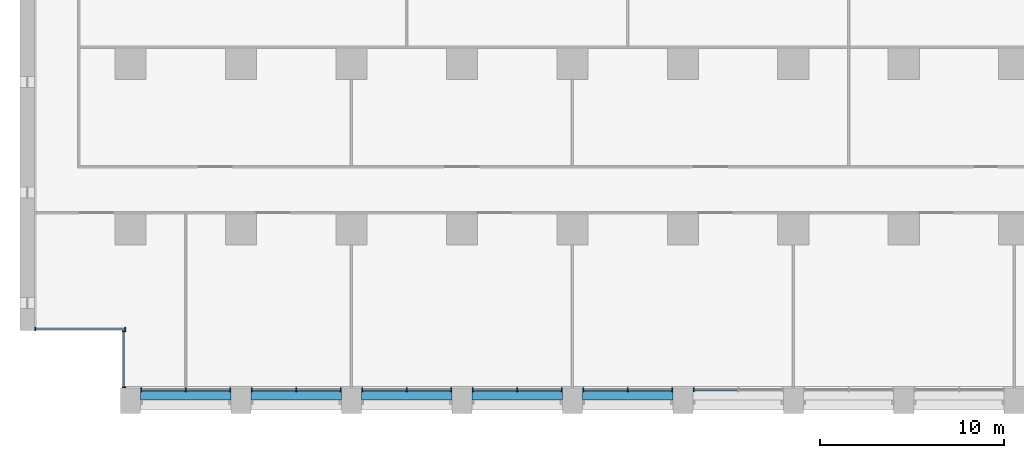
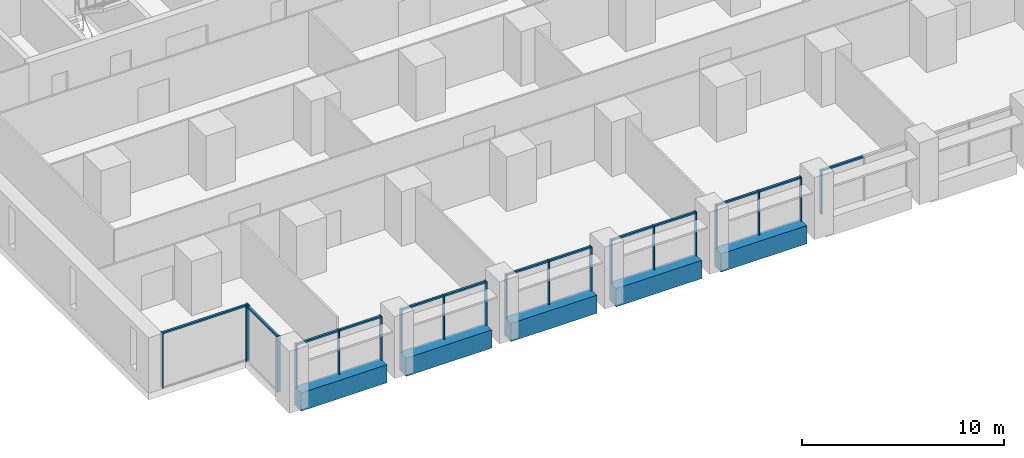
# One storey, part 2 of 18: 33 members, 5 beams, 8 elements without a shape of their own.
"""IFC4 building model written with IfcOpenShell, lengths in metres."""

from ifc_helpers import new_model, si_unit, direction, frame, origin, origin_2d, place, context, subcontext, project, spatial, rectangle, extrude, material, material_profile, profile_set, type_object, element, aggregate, save


model = new_model("IFC4")

# Units and contexts
model_context = context("Model", 3, precision=1e-05, world=origin(), true_north=direction((0.0, 1.0)))
body_context = subcontext(model_context, "Body", "Model", "MODEL_VIEW")
ifc_project = project(units=[si_unit("LENGTHUNIT", "METRE"), si_unit("AREAUNIT", "SQUARE_METRE"), si_unit("VOLUMEUNIT", "CUBIC_METRE"), si_unit("PLANEANGLEUNIT", "RADIAN"), si_unit("MASSUNIT", "GRAM", prefix="KILO")], contexts=[model_context])

# Site, building, storey
site_placement = place(None, origin())
site = spatial("IfcSite", under=ifc_project, at=site_placement, CompositionType="ELEMENT")
building_placement = place(site_placement, origin())
building = spatial("IfcBuilding", under=site, at=building_placement, Name="Calvaro Tower", CompositionType="ELEMENT")
storey_placement = place(building_placement, frame((0.0, 0.0, 52.5)))
storey = spatial("IfcBuildingStorey", under=building, at=storey_placement, Name="L12", CompositionType="ELEMENT", Elevation=52.5)

# Curtain wall, members
ifc_material_1 = material(Name="Anodised aluminium", Category="aluminium")
curtain_wall_type = type_object("IfcCurtainWallType", Name="Office curtain wall, lower zone", PredefinedType="NOTDEFINED", material=ifc_material_1)
curtain_wall_1_placement = place(storey_placement, origin())
curtain_wall_1 = element("IfcCurtainWall", 1, at=curtain_wall_1_placement, inside=storey, type_object=curtain_wall_type, Name="CW1 south curtain wall", PredefinedType="NOTDEFINED")
ifc_material_2 = material(Name="Anodised aluminium", Category="aluminium")
ifc_material_profile_1 = material_profile(ifc_material_2, rectangle(XDim=0.199951171875, YDim=0.06005859375, at=origin_2d()), Name="Mullion S1 60 x 200")
ifc_profile_set_1 = profile_set([ifc_material_profile_1], Name="Anodised aluminium")
member_type_1 = type_object("IfcMemberType", Name="Mullion S1 60 x 200", PredefinedType="MULLION", material=ifc_profile_set_1)
member_1_placement = place(storey_placement, frame((6.580078125, 1.300048828125, 0.0), z_axis=(0.0, 0.0, 1.0), x_axis=(0.0, 1.0, 0.0)))
member_1 = element("IfcMember", 2, at=member_1_placement, type_object=member_type_1, Name="CW1 mullion 1", PredefinedType="MULLION", context=body_context, shape_type="SweptSolid", body=[
    extrude(rectangle(XDim=0.199951171875, YDim=0.06005859375, at=origin_2d()), origin(), (0.0, 0.0, 1.0), 2.64990234375),
])
member_2_placement = place(storey_placement, frame((9.0, 1.300048828125, 0.0), z_axis=(0.0, 0.0, 1.0), x_axis=(0.0, 1.0, 0.0)))
member_2 = element("IfcMember", 3, at=member_2_placement, type_object=member_type_1, Name="CW1 mullion 2", PredefinedType="MULLION", context=body_context, shape_type="SweptSolid", body=[
    extrude(rectangle(XDim=0.199951171875, YDim=0.06005859375, at=origin_2d()), origin(), (0.0, 0.0, 1.0), 2.64990234375),
])
member_3_placement = place(storey_placement, frame((11.419921875, 1.300048828125, 0.0), z_axis=(0.0, 0.0, 1.0), x_axis=(0.0, 1.0, 0.0)))
member_3 = element("IfcMember", 4, at=member_3_placement, type_object=member_type_1, Name="CW1 mullion 3", PredefinedType="MULLION", context=body_context, shape_type="SweptSolid", body=[
    extrude(rectangle(XDim=0.199951171875, YDim=0.06005859375, at=origin_2d()), origin(), (0.0, 0.0, 1.0), 2.64990234375),
])

curtain_wall_2_placement = place(storey_placement, origin())
curtain_wall_2 = element("IfcCurtainWall", 5, at=curtain_wall_2_placement, inside=storey, type_object=curtain_wall_type, Name="CW1 south curtain wall", PredefinedType="NOTDEFINED")
member_4_placement = place(storey_placement, frame((12.580078125, 1.300048828125, 0.0), z_axis=(0.0, 0.0, 1.0), x_axis=(0.0, 1.0, 0.0)))
member_4 = element("IfcMember", 6, at=member_4_placement, type_object=member_type_1, Name="CW1 mullion 1", PredefinedType="MULLION", context=body_context, shape_type="SweptSolid", body=[
    extrude(rectangle(XDim=0.199951171875, YDim=0.06005859375, at=origin_2d()), origin(), (0.0, 0.0, 1.0), 2.64990234375),
])
member_5_placement = place(storey_placement, frame((15.0, 1.300048828125, 0.0), z_axis=(0.0, 0.0, 1.0), x_axis=(0.0, 1.0, 0.0)))
member_5 = element("IfcMember", 7, at=member_5_placement, type_object=member_type_1, Name="CW1 mullion 2", PredefinedType="MULLION", context=body_context, shape_type="SweptSolid", body=[
    extrude(rectangle(XDim=0.199951171875, YDim=0.06005859375, at=origin_2d()), origin(), (0.0, 0.0, 1.0), 2.64990234375),
])
member_6_placement = place(storey_placement, frame((17.419921875, 1.300048828125, 0.0), z_axis=(0.0, 0.0, 1.0), x_axis=(0.0, 1.0, 0.0)))
member_6 = element("IfcMember", 8, at=member_6_placement, type_object=member_type_1, Name="CW1 mullion 3", PredefinedType="MULLION", context=body_context, shape_type="SweptSolid", body=[
    extrude(rectangle(XDim=0.199951171875, YDim=0.06005859375, at=origin_2d()), origin(), (0.0, 0.0, 1.0), 2.64990234375),
])

curtain_wall_3_placement = place(storey_placement, origin())
curtain_wall_3 = element("IfcCurtainWall", 9, at=curtain_wall_3_placement, inside=storey, type_object=curtain_wall_type, Name="CW1 south curtain wall", PredefinedType="NOTDEFINED")
member_7_placement = place(storey_placement, frame((18.580078125, 1.300048828125, 0.0), z_axis=(0.0, 0.0, 1.0), x_axis=(0.0, 1.0, 0.0)))
member_7 = element("IfcMember", 10, at=member_7_placement, type_object=member_type_1, Name="CW1 mullion 1", PredefinedType="MULLION", context=body_context, shape_type="SweptSolid", body=[
    extrude(rectangle(XDim=0.199951171875, YDim=0.06005859375, at=origin_2d()), origin(), (0.0, 0.0, 1.0), 2.64990234375),
])
member_8_placement = place(storey_placement, frame((21.0, 1.300048828125, 0.0), z_axis=(0.0, 0.0, 1.0), x_axis=(0.0, 1.0, 0.0)))
member_8 = element("IfcMember", 11, at=member_8_placement, type_object=member_type_1, Name="CW1 mullion 2", PredefinedType="MULLION", context=body_context, shape_type="SweptSolid", body=[
    extrude(rectangle(XDim=0.199951171875, YDim=0.06005859375, at=origin_2d()), origin(), (0.0, 0.0, 1.0), 2.64990234375),
])
member_9_placement = place(storey_placement, frame((23.419921875, 1.300048828125, 0.0), z_axis=(0.0, 0.0, 1.0), x_axis=(0.0, 1.0, 0.0)))
member_9 = element("IfcMember", 12, at=member_9_placement, type_object=member_type_1, Name="CW1 mullion 3", PredefinedType="MULLION", context=body_context, shape_type="SweptSolid", body=[
    extrude(rectangle(XDim=0.199951171875, YDim=0.06005859375, at=origin_2d()), origin(), (0.0, 0.0, 1.0), 2.64990234375),
])

curtain_wall_4_placement = place(storey_placement, origin())
curtain_wall_4 = element("IfcCurtainWall", 13, at=curtain_wall_4_placement, inside=storey, type_object=curtain_wall_type, Name="CW1 south curtain wall", PredefinedType="NOTDEFINED")
member_10_placement = place(storey_placement, frame((24.580078125, 1.300048828125, 0.0), z_axis=(0.0, 0.0, 1.0), x_axis=(0.0, 1.0, 0.0)))
member_10 = element("IfcMember", 14, at=member_10_placement, type_object=member_type_1, Name="CW1 mullion 1", PredefinedType="MULLION", context=body_context, shape_type="SweptSolid", body=[
    extrude(rectangle(XDim=0.199951171875, YDim=0.06005859375, at=origin_2d()), origin(), (0.0, 0.0, 1.0), 2.64990234375),
])
member_11_placement = place(storey_placement, frame((27.0, 1.300048828125, 0.0), z_axis=(0.0, 0.0, 1.0), x_axis=(0.0, 1.0, 0.0)))
member_11 = element("IfcMember", 15, at=member_11_placement, type_object=member_type_1, Name="CW1 mullion 2", PredefinedType="MULLION", context=body_context, shape_type="SweptSolid", body=[
    extrude(rectangle(XDim=0.199951171875, YDim=0.06005859375, at=origin_2d()), origin(), (0.0, 0.0, 1.0), 2.64990234375),
])
member_12_placement = place(storey_placement, frame((29.419921875, 1.300048828125, 0.0), z_axis=(0.0, 0.0, 1.0), x_axis=(0.0, 1.0, 0.0)))
member_12 = element("IfcMember", 16, at=member_12_placement, type_object=member_type_1, Name="CW1 mullion 3", PredefinedType="MULLION", context=body_context, shape_type="SweptSolid", body=[
    extrude(rectangle(XDim=0.199951171875, YDim=0.06005859375, at=origin_2d()), origin(), (0.0, 0.0, 1.0), 2.64990234375),
])

curtain_wall_5_placement = place(storey_placement, origin())
curtain_wall_5 = element("IfcCurtainWall", 17, at=curtain_wall_5_placement, inside=storey, type_object=curtain_wall_type, Name="CW1 south curtain wall", PredefinedType="NOTDEFINED")
member_13_placement = place(storey_placement, frame((30.580078125, 1.300048828125, 0.0), z_axis=(0.0, 0.0, 1.0), x_axis=(0.0, 1.0, 0.0)))
member_13 = element("IfcMember", 18, at=member_13_placement, type_object=member_type_1, Name="CW1 mullion 1", PredefinedType="MULLION", context=body_context, shape_type="SweptSolid", body=[
    extrude(rectangle(XDim=0.199951171875, YDim=0.06005859375, at=origin_2d()), origin(), (0.0, 0.0, 1.0), 2.64990234375),
])
member_14_placement = place(storey_placement, frame((33.0, 1.300048828125, 0.0), z_axis=(0.0, 0.0, 1.0), x_axis=(0.0, 1.0, 0.0)))
member_14 = element("IfcMember", 19, at=member_14_placement, type_object=member_type_1, Name="CW1 mullion 2", PredefinedType="MULLION", context=body_context, shape_type="SweptSolid", body=[
    extrude(rectangle(XDim=0.199951171875, YDim=0.06005859375, at=origin_2d()), origin(), (0.0, 0.0, 1.0), 2.64990234375),
])
member_15_placement = place(storey_placement, frame((35.419921875, 1.300048828125, 0.0), z_axis=(0.0, 0.0, 1.0), x_axis=(0.0, 1.0, 0.0)))
member_15 = element("IfcMember", 20, at=member_15_placement, type_object=member_type_1, Name="CW1 mullion 3", PredefinedType="MULLION", context=body_context, shape_type="SweptSolid", body=[
    extrude(rectangle(XDim=0.199951171875, YDim=0.06005859375, at=origin_2d()), origin(), (0.0, 0.0, 1.0), 2.64990234375),
])

# Curtain wall, member
curtain_wall_6_placement = place(storey_placement, origin())
curtain_wall_6 = element("IfcCurtainWall", 21, at=curtain_wall_6_placement, inside=storey, type_object=curtain_wall_type, Name="CW1 south curtain wall", PredefinedType="NOTDEFINED")
member_16_placement = place(storey_placement, frame((36.580078125, 1.300048828125, 0.0), z_axis=(0.0, 0.0, 1.0), x_axis=(0.0, 1.0, 0.0)))
member_16 = element("IfcMember", 22, at=member_16_placement, type_object=member_type_1, Name="CW1 mullion 1", PredefinedType="MULLION", context=body_context, shape_type="SweptSolid", body=[
    extrude(rectangle(XDim=0.199951171875, YDim=0.06005859375, at=origin_2d()), origin(), (0.0, 0.0, 1.0), 2.64990234375),
])

# Curtain wall, members
curtain_wall_7_placement = place(storey_placement, origin())
curtain_wall_7 = element("IfcCurtainWall", 23, at=curtain_wall_7_placement, inside=storey, type_object=curtain_wall_type, Name="CW1 corner curtain wall", PredefinedType="NOTDEFINED")
member_17_placement = place(storey_placement, frame((5.64990234375, 1.429931640625, 0.0), z_axis=(0.0, 0.0, 1.0), x_axis=(-1.0, 0.0, 0.0)))
member_17 = element("IfcMember", 24, at=member_17_placement, type_object=member_type_1, Name="CW1 mullion 1", PredefinedType="MULLION", context=body_context, shape_type="SweptSolid", body=[
    extrude(rectangle(XDim=0.199951171875, YDim=0.06005859375, at=origin_2d()), origin(), (0.0, 0.0, 1.0), 3.35009765625),
])
member_18_placement = place(storey_placement, frame((5.64990234375, 4.469970703125, 0.0), z_axis=(0.0, 0.0, 1.0), x_axis=(-1.0, 0.0, 0.0)))
member_18 = element("IfcMember", 25, at=member_18_placement, type_object=member_type_1, Name="CW1 mullion 2", PredefinedType="MULLION", context=body_context, shape_type="SweptSolid", body=[
    extrude(rectangle(XDim=0.199951171875, YDim=0.06005859375, at=origin_2d()), origin(), (0.0, 0.0, 1.0), 3.35009765625),
])

curtain_wall_8_placement = place(storey_placement, origin())
curtain_wall_8 = element("IfcCurtainWall", 26, at=curtain_wall_8_placement, inside=storey, type_object=curtain_wall_type, Name="CW1 corner curtain wall", PredefinedType="NOTDEFINED")
member_19_placement = place(storey_placement, frame((0.830078125, 4.60009765625, 0.0), z_axis=(0.0, 0.0, 1.0), x_axis=(0.0, 1.0, 0.0)))
member_19 = element("IfcMember", 27, at=member_19_placement, type_object=member_type_1, Name="CW1 mullion 1", PredefinedType="MULLION", context=body_context, shape_type="SweptSolid", body=[
    extrude(rectangle(XDim=0.199951171875, YDim=0.06005859375, at=origin_2d()), origin(), (0.0, 0.0, 1.0), 3.35009765625),
])
member_20_placement = place(storey_placement, frame((5.719970703125, 4.60009765625, 0.0), z_axis=(0.0, 0.0, 1.0), x_axis=(0.0, 1.0, 0.0)))
member_20 = element("IfcMember", 28, at=member_20_placement, type_object=member_type_1, Name="CW1 mullion 2", PredefinedType="MULLION", context=body_context, shape_type="SweptSolid", body=[
    extrude(rectangle(XDim=0.199951171875, YDim=0.06005859375, at=origin_2d()), origin(), (0.0, 0.0, 1.0), 3.35009765625),
])

# Beams
ifc_material_3 = material(Name="Concrete C50/60 precast", Category="concrete")
ifc_material_profile_2 = material_profile(ifc_material_3, rectangle(XDim=0.64990234375, YDim=1.10009765625, at=origin_2d()), Name="RC 650x1100")
ifc_profile_set_2 = profile_set([ifc_material_profile_2], Name="Concrete C50/60 precast")
beam_type = type_object("IfcBeamType", Name="Spandrel beam 650x1100 C50/60", PredefinedType="SPANDREL", material=ifc_profile_set_2)
for number, where, z_axis, x_axis, name in (
    (29, (6.550048828125, 1.074951171875, -0.550048828125), (1.0, 0.0, 0.0), (0.0, 1.0, 0.0), "Spandrel beam"),
    (30, (12.550048828125, 1.074951171875, -0.550048828125), (1.0, 0.0, 0.0), (0.0, 1.0, 0.0), "Spandrel beam"),
    (31, (18.550048828125, 1.074951171875, -0.550048828125), (1.0, 0.0, 0.0), (0.0, 1.0, 0.0), "Spandrel beam"),
    (32, (24.550048828125, 1.074951171875, -0.550048828125), (1.0, 0.0, 0.0), (0.0, 1.0, 0.0), "Spandrel beam"),
    (33, (30.550048828125, 1.074951171875, -0.550048828125), (1.0, 0.0, 0.0), (0.0, 1.0, 0.0), "Spandrel beam"),
):
    element("IfcBeam", number, at=place(storey_placement, frame(where, z_axis=z_axis, x_axis=x_axis)), inside=storey, type_object=beam_type, Name=name, PredefinedType="SPANDREL", context=body_context, shape_type="SweptSolid", body=[
        extrude(rectangle(XDim=0.64990234375, YDim=1.10009765625, at=origin_2d()), origin(), (0.0, 0.0, 1.0), 4.89990234375),
    ])

# Member
ifc_material_4 = material(Name="Anodised aluminium", Category="aluminium")
ifc_material_profile_3 = material_profile(ifc_material_4, rectangle(XDim=0.1201171875, YDim=0.10009765625, at=origin_2d()), Name="Transom S1 100 x 120")
ifc_profile_set_3 = profile_set([ifc_material_profile_3], Name="Anodised aluminium")
member_type_2 = type_object("IfcMemberType", Name="Transom S1 100 x 120", PredefinedType="USERDEFINED", material=ifc_profile_set_3)
member_21_placement = place(storey_placement, frame((6.610107421875, 1.300048828125, 2.60009765625), z_axis=(1.0, 0.0, 0.0), x_axis=(0.0, 1.0, 0.0)))
member_21 = element("IfcMember", 34, at=member_21_placement, type_object=member_type_2, Name="CW1 transom 1.1", ObjectType="TRANSOM", PredefinedType="USERDEFINED", context=body_context, shape_type="SweptSolid", body=[
    extrude(rectangle(XDim=0.1201171875, YDim=0.10009765625, at=origin_2d()), origin(), (0.0, 0.0, 1.0), 2.35986328125),
])

member_22_placement = place(storey_placement, frame((9.030029296875, 1.300048828125, 2.60009765625), z_axis=(1.0, 0.0, 0.0), x_axis=(0.0, 1.0, 0.0)))
member_22 = element("IfcMember", 35, at=member_22_placement, type_object=member_type_2, Name="CW1 transom 2.1", ObjectType="TRANSOM", PredefinedType="USERDEFINED", context=body_context, shape_type="SweptSolid", body=[
    extrude(rectangle(XDim=0.1201171875, YDim=0.10009765625, at=origin_2d()), origin(), (0.0, 0.0, 1.0), 2.35986328125),
])

aggregate(curtain_wall_1, [member_1, member_2, member_3, member_21, member_22])

member_23_placement = place(storey_placement, frame((12.610107421875, 1.300048828125, 2.60009765625), z_axis=(1.0, 0.0, 0.0), x_axis=(0.0, 1.0, 0.0)))
member_23 = element("IfcMember", 36, at=member_23_placement, type_object=member_type_2, Name="CW1 transom 1.1", ObjectType="TRANSOM", PredefinedType="USERDEFINED", context=body_context, shape_type="SweptSolid", body=[
    extrude(rectangle(XDim=0.1201171875, YDim=0.10009765625, at=origin_2d()), origin(), (0.0, 0.0, 1.0), 2.35986328125),
])

member_24_placement = place(storey_placement, frame((15.030029296875, 1.300048828125, 2.60009765625), z_axis=(1.0, 0.0, 0.0), x_axis=(0.0, 1.0, 0.0)))
member_24 = element("IfcMember", 37, at=member_24_placement, type_object=member_type_2, Name="CW1 transom 2.1", ObjectType="TRANSOM", PredefinedType="USERDEFINED", context=body_context, shape_type="SweptSolid", body=[
    extrude(rectangle(XDim=0.1201171875, YDim=0.10009765625, at=origin_2d()), origin(), (0.0, 0.0, 1.0), 2.35986328125),
])

aggregate(curtain_wall_2, [member_4, member_5, member_6, member_23, member_24])

member_25_placement = place(storey_placement, frame((18.610107421875, 1.300048828125, 2.60009765625), z_axis=(1.0, 0.0, 0.0), x_axis=(0.0, 1.0, 0.0)))
member_25 = element("IfcMember", 38, at=member_25_placement, type_object=member_type_2, Name="CW1 transom 1.1", ObjectType="TRANSOM", PredefinedType="USERDEFINED", context=body_context, shape_type="SweptSolid", body=[
    extrude(rectangle(XDim=0.1201171875, YDim=0.10009765625, at=origin_2d()), origin(), (0.0, 0.0, 1.0), 2.35986328125),
])

member_26_placement = place(storey_placement, frame((21.030029296875, 1.300048828125, 2.60009765625), z_axis=(1.0, 0.0, 0.0), x_axis=(0.0, 1.0, 0.0)))
member_26 = element("IfcMember", 39, at=member_26_placement, type_object=member_type_2, Name="CW1 transom 2.1", ObjectType="TRANSOM", PredefinedType="USERDEFINED", context=body_context, shape_type="SweptSolid", body=[
    extrude(rectangle(XDim=0.1201171875, YDim=0.10009765625, at=origin_2d()), origin(), (0.0, 0.0, 1.0), 2.35986328125),
])

aggregate(curtain_wall_3, [member_7, member_8, member_9, member_25, member_26])

member_27_placement = place(storey_placement, frame((24.610107421875, 1.300048828125, 2.60009765625), z_axis=(1.0, 0.0, 0.0), x_axis=(0.0, 1.0, 0.0)))
member_27 = element("IfcMember", 40, at=member_27_placement, type_object=member_type_2, Name="CW1 transom 1.1", ObjectType="TRANSOM", PredefinedType="USERDEFINED", context=body_context, shape_type="SweptSolid", body=[
    extrude(rectangle(XDim=0.1201171875, YDim=0.10009765625, at=origin_2d()), origin(), (0.0, 0.0, 1.0), 2.35986328125),
])

member_28_placement = place(storey_placement, frame((27.030029296875, 1.300048828125, 2.60009765625), z_axis=(1.0, 0.0, 0.0), x_axis=(0.0, 1.0, 0.0)))
member_28 = element("IfcMember", 41, at=member_28_placement, type_object=member_type_2, Name="CW1 transom 2.1", ObjectType="TRANSOM", PredefinedType="USERDEFINED", context=body_context, shape_type="SweptSolid", body=[
    extrude(rectangle(XDim=0.1201171875, YDim=0.10009765625, at=origin_2d()), origin(), (0.0, 0.0, 1.0), 2.35986328125),
])

aggregate(curtain_wall_4, [member_10, member_11, member_12, member_27, member_28])

member_29_placement = place(storey_placement, frame((30.610107421875, 1.300048828125, 2.60009765625), z_axis=(1.0, 0.0, 0.0), x_axis=(0.0, 1.0, 0.0)))
member_29 = element("IfcMember", 42, at=member_29_placement, type_object=member_type_2, Name="CW1 transom 1.1", ObjectType="TRANSOM", PredefinedType="USERDEFINED", context=body_context, shape_type="SweptSolid", body=[
    extrude(rectangle(XDim=0.1201171875, YDim=0.10009765625, at=origin_2d()), origin(), (0.0, 0.0, 1.0), 2.35986328125),
])

member_30_placement = place(storey_placement, frame((33.030029296875, 1.300048828125, 2.60009765625), z_axis=(1.0, 0.0, 0.0), x_axis=(0.0, 1.0, 0.0)))
member_30 = element("IfcMember", 43, at=member_30_placement, type_object=member_type_2, Name="CW1 transom 2.1", ObjectType="TRANSOM", PredefinedType="USERDEFINED", context=body_context, shape_type="SweptSolid", body=[
    extrude(rectangle(XDim=0.1201171875, YDim=0.10009765625, at=origin_2d()), origin(), (0.0, 0.0, 1.0), 2.35986328125),
])

aggregate(curtain_wall_5, [member_13, member_14, member_15, member_29, member_30])

member_31_placement = place(storey_placement, frame((36.610107421875, 1.300048828125, 2.60009765625), z_axis=(1.0, 0.0, 0.0), x_axis=(0.0, 1.0, 0.0)))
member_31 = element("IfcMember", 44, at=member_31_placement, type_object=member_type_2, Name="CW1 transom 1.1", ObjectType="TRANSOM", PredefinedType="USERDEFINED", context=body_context, shape_type="SweptSolid", body=[
    extrude(rectangle(XDim=0.1201171875, YDim=0.10009765625, at=origin_2d()), origin(), (0.0, 0.0, 1.0), 2.35986328125),
])

aggregate(curtain_wall_6, [member_16, member_31])

member_32_placement = place(storey_placement, frame((5.64990234375, 1.4599609375, 3.300048828125), z_axis=(0.0, 1.0, 0.0), x_axis=(-1.0, 0.0, 0.0)))
member_32 = element("IfcMember", 45, at=member_32_placement, type_object=member_type_2, Name="CW1 transom 1.1", ObjectType="TRANSOM", PredefinedType="USERDEFINED", context=body_context, shape_type="SweptSolid", body=[
    extrude(rectangle(XDim=0.1201171875, YDim=0.10009765625, at=origin_2d()), origin(), (0.0, 0.0, 1.0), 2.97998046875),
])

aggregate(curtain_wall_7, [member_17, member_18, member_32])

member_33_placement = place(storey_placement, frame((0.860107421875, 4.60009765625, 3.300048828125), z_axis=(1.0, 0.0, 0.0), x_axis=(0.0, 1.0, 0.0)))
member_33 = element("IfcMember", 46, at=member_33_placement, type_object=member_type_2, Name="CW1 transom 1.1", ObjectType="TRANSOM", PredefinedType="USERDEFINED", context=body_context, shape_type="SweptSolid", body=[
    extrude(rectangle(XDim=0.1201171875, YDim=0.10009765625, at=origin_2d()), origin(), (0.0, 0.0, 1.0), 4.829833984375),
])

aggregate(curtain_wall_8, [member_19, member_20, member_33])

save(model, "model.ifc")
